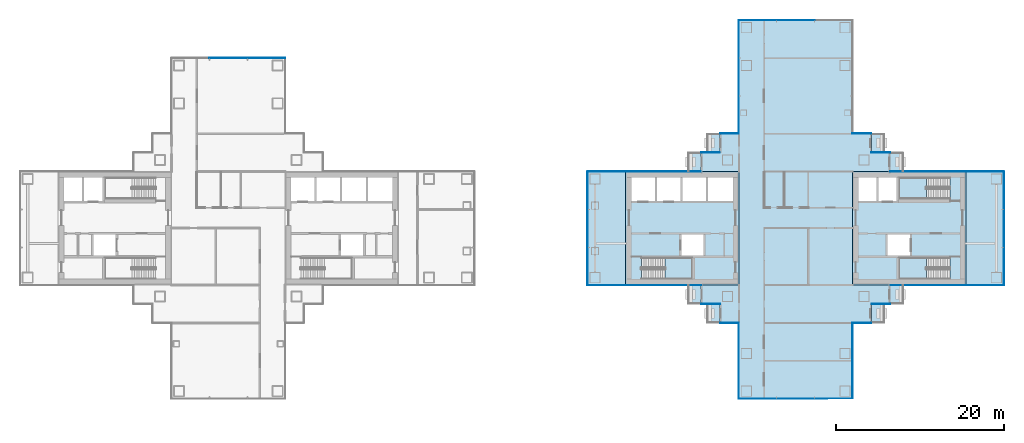
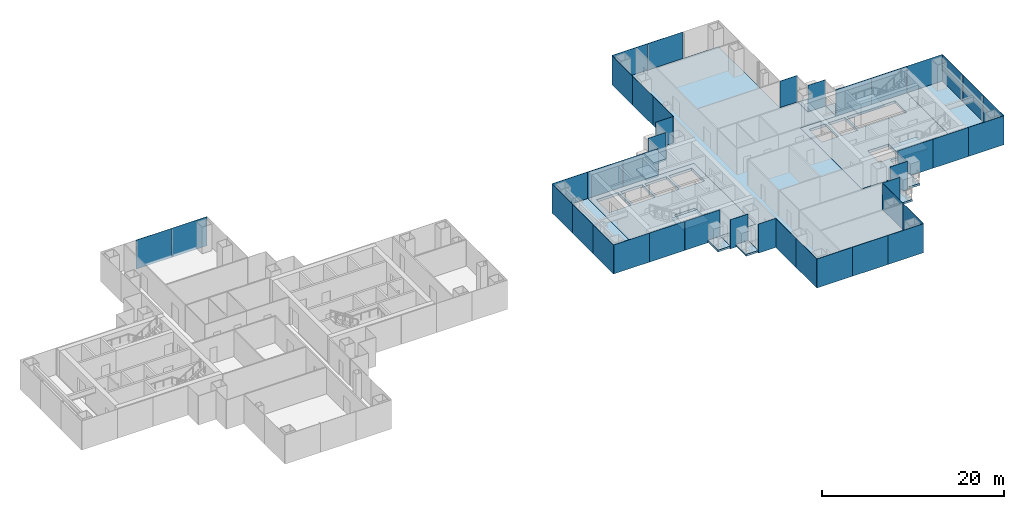
# One storey, part 10 of 20: 40 plates, 16 slabs, 23 elements without a shape of their own.
"""IFC4 building model written with IfcOpenShell, lengths in metres."""

from ifc_helpers import new_model, si_unit, direction, frame, origin, origin_2d, place, context, subcontext, project, spatial, polyline, rectangle, outline, extrude, material, layer, layer_set, type_object, element, aggregate, save


model = new_model("IFC4")

# Units and contexts
model_context = context("Model", 3, precision=1e-05, world=origin(), true_north=direction((0.0, 1.0)))
body_context = subcontext(model_context, "Body", "Model", "MODEL_VIEW")
ifc_project = project(units=[si_unit("LENGTHUNIT", "METRE"), si_unit("AREAUNIT", "SQUARE_METRE"), si_unit("VOLUMEUNIT", "CUBIC_METRE"), si_unit("PLANEANGLEUNIT", "RADIAN"), si_unit("MASSUNIT", "GRAM", prefix="KILO")], contexts=[model_context])

# Site, building, storey
site_placement = place(None, origin())
site = spatial("IfcSite", under=ifc_project, at=site_placement, CompositionType="ELEMENT")
building_placement = place(site_placement, origin())
building = spatial("IfcBuilding", under=site, at=building_placement, Name="Shamsa Quay Exchange Towers", CompositionType="ELEMENT")
storey_placement = place(building_placement, frame((0.0, 0.0, 109.199951171875)))
storey = spatial("IfcBuildingStorey", under=building, at=storey_placement, Name="L25", CompositionType="ELEMENT", Elevation=109.199951171875)

# Slabs
ifc_material_1 = material(Name="Precast concrete C40/50", Category="concrete")
ifc_layer_1 = layer(ifc_material_1, 0.25)
ifc_layer_set_1 = layer_set([ifc_layer_1], Name="BALCONY SLAB 250")
slab_type_1 = type_object("IfcSlabType", Name="BALCONY SLAB 250", PredefinedType="FLOOR", material=ifc_layer_set_1)
slab_1_placement = place(storey_placement, frame((0.0, 0.0, -0.25)))
element("IfcSlab", 1, at=slab_1_placement, inside=storey, type_object=slab_type_1, Name="Balcony T2-PKEN L25", PredefinedType="FLOOR", context=body_context, shape_type="SweptSolid", body=[
    extrude(outline(polyline([(24.75, 11.25), (24.75, 9.0380859375), (23.199951171875, 9.0380859375), (23.199951171875, 11.25), (24.75, 11.25)])), origin(), (0.0, 0.0, 1.0), 0.25),
])
slab_2_placement = place(storey_placement, frame((0.0, 0.0, -0.25)))
element("IfcSlab", 2, at=slab_2_placement, inside=storey, type_object=slab_type_1, Name="Balcony T2-PKEN L25", PredefinedType="FLOOR", context=body_context, shape_type="SweptSolid", body=[
    extrude(outline(polyline([(22.5, 9.0), (22.5, 6.7880859375), (20.949951171875, 6.7880859375), (20.949951171875, 9.0), (22.5, 9.0)])), origin(), (0.0, 0.0, 1.0), 0.25),
])
slab_3_placement = place(storey_placement, frame((0.0, 0.0, -0.25)))
element("IfcSlab", 3, at=slab_3_placement, inside=storey, type_object=slab_type_1, Name="Balcony T2-PKES L25", PredefinedType="FLOOR", context=body_context, shape_type="SweptSolid", body=[
    extrude(outline(polyline([(42.75, 9.0380859375), (42.75, 11.25), (44.300048828125, 11.25), (44.300048828125, 9.0380859375), (42.75, 9.0380859375)])), origin(), (0.0, 0.0, 1.0), 0.25),
])
slab_4_placement = place(storey_placement, frame((0.0, 0.0, -0.25)))
element("IfcSlab", 4, at=slab_4_placement, inside=storey, type_object=slab_type_1, Name="Balcony T2-PKES L25", PredefinedType="FLOOR", context=body_context, shape_type="SweptSolid", body=[
    extrude(outline(polyline([(45.0, 6.7880859375), (45.0, 9.0), (46.550048828125, 9.0), (46.550048828125, 6.7880859375), (45.0, 6.7880859375)])), origin(), (0.0, 0.0, 1.0), 0.25),
])
slab_5_placement = place(storey_placement, frame((0.0, 0.0, -0.25)))
element("IfcSlab", 5, at=slab_5_placement, inside=storey, type_object=slab_type_1, Name="Balcony T2-PKWN L25", PredefinedType="FLOOR", context=body_context, shape_type="SweptSolid", body=[
    extrude(outline(polyline([(22.5, -6.7880859375), (22.5, -9.0), (20.949951171875, -9.0), (20.949951171875, -6.7880859375), (22.5, -6.7880859375)])), origin(), (0.0, 0.0, 1.0), 0.25),
])
slab_6_placement = place(storey_placement, frame((0.0, 0.0, -0.25)))
element("IfcSlab", 6, at=slab_6_placement, inside=storey, type_object=slab_type_1, Name="Balcony T2-PKWN L25", PredefinedType="FLOOR", context=body_context, shape_type="SweptSolid", body=[
    extrude(outline(polyline([(24.75, -9.0380859375), (24.75, -11.25), (23.199951171875, -11.25), (23.199951171875, -9.0380859375), (24.75, -9.0380859375)])), origin(), (0.0, 0.0, 1.0), 0.25),
])
slab_7_placement = place(storey_placement, frame((0.0, 0.0, -0.25)))
element("IfcSlab", 7, at=slab_7_placement, inside=storey, type_object=slab_type_1, Name="Balcony T2-PKWS L25", PredefinedType="FLOOR", context=body_context, shape_type="SweptSolid", body=[
    extrude(outline(polyline([(42.75, -11.25), (42.75, -9.0380859375), (44.300048828125, -9.0380859375), (44.300048828125, -11.25), (42.75, -11.25)])), origin(), (0.0, 0.0, 1.0), 0.25),
])
slab_8_placement = place(storey_placement, frame((0.0, 0.0, -0.25)))
element("IfcSlab", 8, at=slab_8_placement, inside=storey, type_object=slab_type_1, Name="Balcony T2-PKWS L25", PredefinedType="FLOOR", context=body_context, shape_type="SweptSolid", body=[
    extrude(outline(polyline([(45.0, -9.0), (45.0, -6.7880859375), (46.550048828125, -6.7880859375), (46.550048828125, -9.0), (45.0, -9.0)])), origin(), (0.0, 0.0, 1.0), 0.25),
])
ifc_material_2 = material(Name="Concrete C50/60", Category="concrete")
ifc_layer_2 = layer(ifc_material_2, 0.35009765625)
ifc_layer_set_2 = layer_set([ifc_layer_2], Name="CORE FLOOR 350 C50/60")
slab_type_2 = type_object("IfcSlabType", Name="CORE FLOOR 350 C50/60", PredefinedType="FLOOR", material=ifc_layer_set_2)
slab_9_placement = place(storey_placement, frame((0.0, 0.0, -0.349853515625)))
element("IfcSlab", 9, at=slab_9_placement, inside=storey, type_object=slab_type_2, Name="Core floor T2A", PredefinedType="FLOOR", context=body_context, shape_type="SweptSolid", body=[
    extrude(outline(polyline([(13.5, -6.75), (27.0, -6.75), (27.0, 6.75), (13.5, 6.75), (13.5, -6.75)]), holes=[polyline([(15.400634765625, -6.050048828125), (15.400634765625, -3.5), (21.5, -3.5), (21.5, -6.050048828125), (15.400634765625, -6.050048828125)]), polyline([(14.199951171875, 3.25), (14.199951171875, 6.050048828125), (17.0, 6.050048828125), (17.0, 3.25), (14.199951171875, 3.25)]), polyline([(17.25, 3.25), (17.25, 6.050048828125), (20.050048828125, 6.050048828125), (20.050048828125, 3.25), (17.25, 3.25)]), polyline([(20.300048828125, 3.25), (20.300048828125, 6.050048828125), (23.10009765625, 6.050048828125), (23.10009765625, 3.25), (20.300048828125, 3.25)]), polyline([(23.35009765625, 3.25), (23.35009765625, 6.050048828125), (26.300048828125, 6.050048828125), (26.300048828125, 3.25), (23.35009765625, 3.25)]), polyline([(20.14990234375, -3.25), (20.14990234375, -0.75), (22.800048828125, -0.75), (22.800048828125, -3.25), (20.14990234375, -3.25)])]), origin(), (0.0, 0.0, 1.0), 0.349853515625),
])
slab_10_placement = place(storey_placement, frame((0.0, 0.0, -0.349853515625)))
element("IfcSlab", 10, at=slab_10_placement, inside=storey, type_object=slab_type_2, Name="Core floor T2B", PredefinedType="FLOOR", context=body_context, shape_type="SweptSolid", body=[
    extrude(outline(polyline([(54.0, -6.75), (54.0, 6.75), (40.5, 6.75), (40.5, -6.75), (54.0, -6.75)]), holes=[polyline([(52.099365234375, -3.5), (52.099365234375, -6.050048828125), (46.0, -6.050048828125), (46.0, -3.5), (52.099365234375, -3.5)]), polyline([(52.099365234375, 6.050048828125), (52.099365234375, 3.5), (46.0, 3.5), (46.0, 6.050048828125), (52.099365234375, 6.050048828125)]), polyline([(45.75, 3.25), (43.60009765625, 3.25), (43.60009765625, 6.050048828125), (45.75, 6.050048828125), (45.75, 3.25)]), polyline([(43.35009765625, 3.25), (41.199951171875, 3.25), (41.199951171875, 6.050048828125), (43.35009765625, 6.050048828125), (43.35009765625, 3.25)]), polyline([(47.35009765625, -3.25), (44.699951171875, -3.25), (44.699951171875, -0.75), (47.35009765625, -0.75), (47.35009765625, -3.25)])]), origin(), (0.0, 0.0, 1.0), 0.349853515625),
])

# Stair, slab
ifc_material_3 = material(Name="Concrete C40/50", Category="concrete")
stair_type = type_object("IfcStairType", Name="EXIT STAIR 22 RISERS 177 MM", PredefinedType="HALF_TURN_STAIR", material=ifc_material_3)
stair_1_placement = place(storey_placement, origin())
stair_1 = element("IfcStair", 11, at=stair_1_placement, inside=storey, type_object=stair_type, Name="L25 Exit stair ST4", PredefinedType="HALF_TURN_STAIR")
ifc_layer_3 = layer(ifc_material_3, 0.199951171875)
ifc_layer_set_3 = layer_set([ifc_layer_3], Name="CORE STAIR LANDING")
slab_type_3 = type_object("IfcSlabType", Name="CORE STAIR LANDING", PredefinedType="LANDING", material=ifc_layer_set_3)
slab_11_placement = place(storey_placement, frame((0.0, 0.0, 1.75)))
slab_11 = element("IfcSlab", 12, at=slab_11_placement, type_object=slab_type_3, Name="ST4 landing 1", PredefinedType="LANDING", context=body_context, shape_type="SweptSolid", body=[
    extrude(outline(polyline([(18.199951171875, -6.050048828125), (21.5, -6.050048828125), (21.5, -3.5), (18.199951171875, -3.5), (18.199951171875, -6.050048828125)])), origin(), (0.0, 0.0, 1.0), 0.199951171875),
])
aggregate(stair_1, [slab_11])

stair_2_placement = place(storey_placement, origin())
stair_2 = element("IfcStair", 13, at=stair_2_placement, inside=storey, type_object=stair_type, Name="L25 Exit stair ST5", PredefinedType="HALF_TURN_STAIR")
slab_12_placement = place(storey_placement, frame((0.0, 0.0, 1.75)))
slab_12 = element("IfcSlab", 14, at=slab_12_placement, type_object=slab_type_3, Name="ST5 landing 1", PredefinedType="LANDING", context=body_context, shape_type="SweptSolid", body=[
    extrude(outline(polyline([(49.300048828125, -3.5), (46.0, -3.5), (46.0, -6.050048828125), (49.300048828125, -6.050048828125), (49.300048828125, -3.5)])), origin(), (0.0, 0.0, 1.0), 0.199951171875),
])
aggregate(stair_2, [slab_12])

stair_3_placement = place(storey_placement, origin())
stair_3 = element("IfcStair", 15, at=stair_3_placement, inside=storey, type_object=stair_type, Name="L25 Exit stair ST6", PredefinedType="HALF_TURN_STAIR")
slab_13_placement = place(storey_placement, frame((0.0, 0.0, 1.75)))
slab_13 = element("IfcSlab", 16, at=slab_13_placement, type_object=slab_type_3, Name="ST6 landing 1", PredefinedType="LANDING", context=body_context, shape_type="SweptSolid", body=[
    extrude(outline(polyline([(49.300048828125, 6.050048828125), (46.0, 6.050048828125), (46.0, 3.5), (49.300048828125, 3.5), (49.300048828125, 6.050048828125)])), origin(), (0.0, 0.0, 1.0), 0.199951171875),
])
aggregate(stair_3, [slab_13])

# Curtain wall, plates
ifc_material_4 = material(Name="Aluminium EN AW-6063 T6, black anodised", Category="aluminium")
ifc_layer_4 = layer(ifc_material_4, 0.280029296875)
ifc_layer_set_4 = layer_set([ifc_layer_4], Name="CW-1 UNITISED VISION GLASS")
curtain_wall_type_1 = type_object("IfcCurtainWallType", Name="CW-1 UNITISED VISION GLASS", PredefinedType="NOTDEFINED", material=ifc_layer_set_4)
curtain_wall_1_placement = place(storey_placement, origin())
curtain_wall_1 = element("IfcCurtainWall", 17, at=curtain_wall_1_placement, inside=storey, type_object=curtain_wall_type_1, Name="CW1 T1-END-V+ L25", PredefinedType="NOTDEFINED")
ifc_material_5 = material(Name="Glass, laminated, dark tinted", Category="glass")
ifc_layer_5 = layer(ifc_material_5, 0.0400390625)
ifc_layer_set_5 = layer_set([ifc_layer_5], Name="CW-1 VISION GLASS 40")
plate_type_1 = type_object("IfcPlateType", Name="CW-1 VISION GLASS 40", PredefinedType="CURTAIN_PANEL", material=ifc_layer_set_5)
plate_1_placement = place(storey_placement, frame((-29.24755859375, 20.27001953125, -0.349853515625), z_axis=(0.0, 0.0, 1.0), x_axis=(-1.0, 0.0, 0.0)))
plate_1 = element("IfcPlate", 18, at=plate_1_placement, type_object=plate_type_1, Name="CW1 glass panel", PredefinedType="CURTAIN_PANEL", context=body_context, shape_type="SweptSolid", body=[
    extrude(rectangle(XDim=4.4951171875, YDim=0.0400390625, at=origin_2d()), origin(), (0.0, 0.0, 1.0), 3.89990234375),
])
plate_2_placement = place(storey_placement, frame((-33.75, 20.27001953125, -0.349853515625), z_axis=(0.0, 0.0, 1.0), x_axis=(-1.0, 0.0, 0.0)))
plate_2 = element("IfcPlate", 19, at=plate_2_placement, type_object=plate_type_1, Name="CW1 glass panel", PredefinedType="CURTAIN_PANEL", context=body_context, shape_type="SweptSolid", body=[
    extrude(rectangle(XDim=4.489990234375, YDim=0.0400390625, at=origin_2d()), origin(), (0.0, 0.0, 1.0), 3.89990234375),
])
aggregate(curtain_wall_1, [plate_1, plate_2])

# Curtain wall, plate
curtain_wall_2_placement = place(storey_placement, origin())
curtain_wall_2 = element("IfcCurtainWall", 20, at=curtain_wall_2_placement, inside=storey, type_object=curtain_wall_type_1, Name="CW1 T2-FLK-V-W L25", PredefinedType="NOTDEFINED")
plate_3_placement = place(storey_placement, frame((56.25, -6.77001953125, -0.349853515625)))
plate_3 = element("IfcPlate", 21, at=plate_3_placement, type_object=plate_type_1, Name="CW1 glass panel", PredefinedType="CURTAIN_PANEL", context=body_context, shape_type="SweptSolid", body=[
    extrude(rectangle(XDim=4.5, YDim=0.0400390625, at=origin_2d()), origin(), (0.0, 0.0, 1.0), 3.89990234375),
])
aggregate(curtain_wall_2, [plate_3])

# Curtain wall, plates
curtain_wall_3_placement = place(storey_placement, origin())
curtain_wall_3 = element("IfcCurtainWall", 22, at=curtain_wall_3_placement, inside=storey, type_object=curtain_wall_type_1, Name="CW1 T2-END-V- L25", PredefinedType="NOTDEFINED")
plate_4_placement = place(storey_placement, frame((58.52001953125, -4.50244140625, -0.349853515625), z_axis=(0.0, 0.0, 1.0), x_axis=(0.0, 1.0, 0.0)))
plate_4 = element("IfcPlate", 23, at=plate_4_placement, type_object=plate_type_1, Name="CW1 glass panel", PredefinedType="CURTAIN_PANEL", context=body_context, shape_type="SweptSolid", body=[
    extrude(rectangle(XDim=4.4951171875, YDim=0.0400390625, at=origin_2d()), origin(), (0.0, 0.0, 1.0), 3.89990234375),
])
plate_5_placement = place(storey_placement, frame((58.52001953125, 0.0, -0.349853515625), z_axis=(0.0, 0.0, 1.0), x_axis=(0.0, 1.0, 0.0)))
plate_5 = element("IfcPlate", 24, at=plate_5_placement, type_object=plate_type_1, Name="CW1 glass panel", PredefinedType="CURTAIN_PANEL", context=body_context, shape_type="SweptSolid", body=[
    extrude(rectangle(XDim=4.489990234375, YDim=0.0400390625, at=origin_2d()), origin(), (0.0, 0.0, 1.0), 3.89990234375),
])
plate_6_placement = place(storey_placement, frame((58.52001953125, 4.50244140625, -0.349853515625), z_axis=(0.0, 0.0, 1.0), x_axis=(0.0, 1.0, 0.0)))
plate_6 = element("IfcPlate", 25, at=plate_6_placement, type_object=plate_type_1, Name="CW1 glass panel", PredefinedType="CURTAIN_PANEL", context=body_context, shape_type="SweptSolid", body=[
    extrude(rectangle(XDim=4.4951171875, YDim=0.0400390625, at=origin_2d()), origin(), (0.0, 0.0, 1.0), 3.89990234375),
])
aggregate(curtain_wall_3, [plate_4, plate_5, plate_6])

# Curtain wall, plate
curtain_wall_4_placement = place(storey_placement, origin())
curtain_wall_4 = element("IfcCurtainWall", 26, at=curtain_wall_4_placement, inside=storey, type_object=curtain_wall_type_1, Name="CW1 T2-FLK-V-E L25", PredefinedType="NOTDEFINED")
plate_7_placement = place(storey_placement, frame((56.25, 6.77001953125, -0.349853515625), z_axis=(0.0, 0.0, 1.0), x_axis=(-1.0, 0.0, 0.0)))
plate_7 = element("IfcPlate", 27, at=plate_7_placement, type_object=plate_type_1, Name="CW1 glass panel", PredefinedType="CURTAIN_PANEL", context=body_context, shape_type="SweptSolid", body=[
    extrude(rectangle(XDim=4.5, YDim=0.0400390625, at=origin_2d()), origin(), (0.0, 0.0, 1.0), 3.89990234375),
])
aggregate(curtain_wall_4, [plate_7])

# Curtain wall, plates
curtain_wall_5_placement = place(storey_placement, origin())
curtain_wall_5 = element("IfcCurtainWall", 28, at=curtain_wall_5_placement, inside=storey, type_object=curtain_wall_type_1, Name="CW1 T2-END-U+ L25", PredefinedType="NOTDEFINED")
plate_8_placement = place(storey_placement, frame((33.75, 24.77001953125, -0.349853515625), z_axis=(0.0, 0.0, 1.0), x_axis=(-1.0, 0.0, 0.0)))
plate_8 = element("IfcPlate", 29, at=plate_8_placement, type_object=plate_type_1, Name="CW1 glass panel", PredefinedType="CURTAIN_PANEL", context=body_context, shape_type="SweptSolid", body=[
    extrude(rectangle(XDim=4.489990234375, YDim=0.0400390625, at=origin_2d()), origin(), (0.0, 0.0, 1.0), 3.89990234375),
])
plate_9_placement = place(storey_placement, frame((29.24755859375, 24.77001953125, -0.349853515625), z_axis=(0.0, 0.0, 1.0), x_axis=(-1.0, 0.0, 0.0)))
plate_9 = element("IfcPlate", 30, at=plate_9_placement, type_object=plate_type_1, Name="CW1 glass panel", PredefinedType="CURTAIN_PANEL", context=body_context, shape_type="SweptSolid", body=[
    extrude(rectangle(XDim=4.4951171875, YDim=0.0400390625, at=origin_2d()), origin(), (0.0, 0.0, 1.0), 3.89990234375),
])
aggregate(curtain_wall_5, [plate_8, plate_9])

curtain_wall_6_placement = place(storey_placement, origin())
curtain_wall_6 = element("IfcCurtainWall", 31, at=curtain_wall_6_placement, inside=storey, type_object=curtain_wall_type_1, Name="CW1 T2-FLK-U+N L25", PredefinedType="NOTDEFINED")
plate_10_placement = place(storey_placement, frame((26.97998046875, 22.50244140625, -0.349853515625), z_axis=(0.0, 0.0, 1.0), x_axis=(0.0, -1.0, 0.0)))
plate_10 = element("IfcPlate", 32, at=plate_10_placement, type_object=plate_type_1, Name="CW1 glass panel", PredefinedType="CURTAIN_PANEL", context=body_context, shape_type="SweptSolid", body=[
    extrude(rectangle(XDim=4.4951171875, YDim=0.0400390625, at=origin_2d()), origin(), (0.0, 0.0, 1.0), 3.89990234375),
])
plate_11_placement = place(storey_placement, frame((26.97998046875, 18.0, -0.349853515625), z_axis=(0.0, 0.0, 1.0), x_axis=(0.0, -1.0, 0.0)))
plate_11 = element("IfcPlate", 33, at=plate_11_placement, type_object=plate_type_1, Name="CW1 glass panel", PredefinedType="CURTAIN_PANEL", context=body_context, shape_type="SweptSolid", body=[
    extrude(rectangle(XDim=4.489990234375, YDim=0.0400390625, at=origin_2d()), origin(), (0.0, 0.0, 1.0), 3.89990234375),
])
plate_12_placement = place(storey_placement, frame((26.97998046875, 13.49755859375, -0.349853515625), z_axis=(0.0, 0.0, 1.0), x_axis=(0.0, -1.0, 0.0)))
plate_12 = element("IfcPlate", 34, at=plate_12_placement, type_object=plate_type_1, Name="CW1 glass panel", PredefinedType="CURTAIN_PANEL", context=body_context, shape_type="SweptSolid", body=[
    extrude(rectangle(XDim=4.4951171875, YDim=0.0400390625, at=origin_2d()), origin(), (0.0, 0.0, 1.0), 3.89990234375),
])
aggregate(curtain_wall_6, [plate_10, plate_11, plate_12])

# Curtain wall, plate
curtain_wall_7_placement = place(storey_placement, origin())
curtain_wall_7 = element("IfcCurtainWall", 35, at=curtain_wall_7_placement, inside=storey, type_object=curtain_wall_type_1, Name="CW1 T2-FLK-V+E L25", PredefinedType="NOTDEFINED")
plate_13_placement = place(storey_placement, frame((11.25, 6.77001953125, -0.349853515625), z_axis=(0.0, 0.0, 1.0), x_axis=(-1.0, 0.0, 0.0)))
plate_13 = element("IfcPlate", 36, at=plate_13_placement, type_object=plate_type_1, Name="CW1 glass panel", PredefinedType="CURTAIN_PANEL", context=body_context, shape_type="SweptSolid", body=[
    extrude(rectangle(XDim=4.5, YDim=0.0400390625, at=origin_2d()), origin(), (0.0, 0.0, 1.0), 3.89990234375),
])
aggregate(curtain_wall_7, [plate_13])

# Curtain wall, plates
curtain_wall_8_placement = place(storey_placement, origin())
curtain_wall_8 = element("IfcCurtainWall", 37, at=curtain_wall_8_placement, inside=storey, type_object=curtain_wall_type_1, Name="CW1 T2-END-V+ L25", PredefinedType="NOTDEFINED")
plate_14_placement = place(storey_placement, frame((8.97998046875, 4.50244140625, -0.349853515625), z_axis=(0.0, 0.0, 1.0), x_axis=(0.0, -1.0, 0.0)))
plate_14 = element("IfcPlate", 38, at=plate_14_placement, type_object=plate_type_1, Name="CW1 glass panel", PredefinedType="CURTAIN_PANEL", context=body_context, shape_type="SweptSolid", body=[
    extrude(rectangle(XDim=4.4951171875, YDim=0.0400390625, at=origin_2d()), origin(), (0.0, 0.0, 1.0), 3.89990234375),
])
plate_15_placement = place(storey_placement, frame((8.97998046875, 0.0, -0.349853515625), z_axis=(0.0, 0.0, 1.0), x_axis=(0.0, -1.0, 0.0)))
plate_15 = element("IfcPlate", 39, at=plate_15_placement, type_object=plate_type_1, Name="CW1 glass panel", PredefinedType="CURTAIN_PANEL", context=body_context, shape_type="SweptSolid", body=[
    extrude(rectangle(XDim=4.489990234375, YDim=0.0400390625, at=origin_2d()), origin(), (0.0, 0.0, 1.0), 3.89990234375),
])
plate_16_placement = place(storey_placement, frame((8.97998046875, -4.50244140625, -0.349853515625), z_axis=(0.0, 0.0, 1.0), x_axis=(0.0, -1.0, 0.0)))
plate_16 = element("IfcPlate", 40, at=plate_16_placement, type_object=plate_type_1, Name="CW1 glass panel", PredefinedType="CURTAIN_PANEL", context=body_context, shape_type="SweptSolid", body=[
    extrude(rectangle(XDim=4.4951171875, YDim=0.0400390625, at=origin_2d()), origin(), (0.0, 0.0, 1.0), 3.89990234375),
])
aggregate(curtain_wall_8, [plate_14, plate_15, plate_16])

# Curtain wall, plate
curtain_wall_9_placement = place(storey_placement, origin())
curtain_wall_9 = element("IfcCurtainWall", 41, at=curtain_wall_9_placement, inside=storey, type_object=curtain_wall_type_1, Name="CW1 T2-FLK-V+W L25", PredefinedType="NOTDEFINED")
plate_17_placement = place(storey_placement, frame((11.25, -6.77001953125, -0.349853515625)))
plate_17 = element("IfcPlate", 42, at=plate_17_placement, type_object=plate_type_1, Name="CW1 glass panel", PredefinedType="CURTAIN_PANEL", context=body_context, shape_type="SweptSolid", body=[
    extrude(rectangle(XDim=4.5, YDim=0.0400390625, at=origin_2d()), origin(), (0.0, 0.0, 1.0), 3.89990234375),
])
aggregate(curtain_wall_9, [plate_17])

# Curtain wall, plates
curtain_wall_10_placement = place(storey_placement, origin())
curtain_wall_10 = element("IfcCurtainWall", 43, at=curtain_wall_10_placement, inside=storey, type_object=curtain_wall_type_1, Name="CW1 T2-FLK-U-N L25", PredefinedType="NOTDEFINED")
plate_18_placement = place(storey_placement, frame((26.97998046875, -13.52587890625, -0.349853515625), z_axis=(0.0, 0.0, 1.0), x_axis=(0.0, -1.0, 0.0)))
plate_18 = element("IfcPlate", 44, at=plate_18_placement, type_object=plate_type_1, Name="CW1 glass panel", PredefinedType="CURTAIN_PANEL", context=body_context, shape_type="SweptSolid", body=[
    extrude(rectangle(XDim=4.47607421875, YDim=0.0400390625, at=origin_2d()), origin(), (0.0, 0.0, 1.0), 3.89990234375),
])
plate_19_placement = place(storey_placement, frame((26.97998046875, -18.011962890625, -0.349853515625), z_axis=(0.0, 0.0, 1.0), x_axis=(0.0, -1.0, 0.0)))
plate_19 = element("IfcPlate", 45, at=plate_19_placement, type_object=plate_type_1, Name="CW1 glass panel", PredefinedType="CURTAIN_PANEL", context=body_context, shape_type="SweptSolid", body=[
    extrude(rectangle(XDim=4.47607421875, YDim=0.0400390625, at=origin_2d()), origin(), (0.0, 0.0, 1.0), 3.89990234375),
])
aggregate(curtain_wall_10, [plate_18, plate_19])

curtain_wall_11_placement = place(storey_placement, origin())
curtain_wall_11 = element("IfcCurtainWall", 46, at=curtain_wall_11_placement, inside=storey, type_object=curtain_wall_type_1, Name="CW1 T2-END-U- L25", PredefinedType="NOTDEFINED")
plate_20_placement = place(storey_placement, frame((29.24755859375, -20.27001953125, -0.349853515625)))
plate_20 = element("IfcPlate", 47, at=plate_20_placement, type_object=plate_type_1, Name="CW1 glass panel", PredefinedType="CURTAIN_PANEL", context=body_context, shape_type="SweptSolid", body=[
    extrude(rectangle(XDim=4.4951171875, YDim=0.0400390625, at=origin_2d()), origin(), (0.0, 0.0, 1.0), 3.89990234375),
])
plate_21_placement = place(storey_placement, frame((33.75, -20.27001953125, -0.349853515625)))
plate_21 = element("IfcPlate", 48, at=plate_21_placement, type_object=plate_type_1, Name="CW1 glass panel", PredefinedType="CURTAIN_PANEL", context=body_context, shape_type="SweptSolid", body=[
    extrude(rectangle(XDim=4.489990234375, YDim=0.0400390625, at=origin_2d()), origin(), (0.0, 0.0, 1.0), 3.89990234375),
])
plate_22_placement = place(storey_placement, frame((38.25244140625, -20.27001953125, -0.349853515625)))
plate_22 = element("IfcPlate", 49, at=plate_22_placement, type_object=plate_type_1, Name="CW1 glass panel", PredefinedType="CURTAIN_PANEL", context=body_context, shape_type="SweptSolid", body=[
    extrude(rectangle(XDim=4.4951171875, YDim=0.0400390625, at=origin_2d()), origin(), (0.0, 0.0, 1.0), 3.89990234375),
])
aggregate(curtain_wall_11, [plate_20, plate_21, plate_22])

curtain_wall_12_placement = place(storey_placement, origin())
curtain_wall_12 = element("IfcCurtainWall", 50, at=curtain_wall_12_placement, inside=storey, type_object=curtain_wall_type_1, Name="CW1 T2-FLK-U-S L25", PredefinedType="NOTDEFINED")
plate_23_placement = place(storey_placement, frame((40.52001953125, -18.00244140625, -0.349853515625), z_axis=(0.0, 0.0, 1.0), x_axis=(0.0, 1.0, 0.0)))
plate_23 = element("IfcPlate", 51, at=plate_23_placement, type_object=plate_type_1, Name="CW1 glass panel", PredefinedType="CURTAIN_PANEL", context=body_context, shape_type="SweptSolid", body=[
    extrude(rectangle(XDim=4.4951171875, YDim=0.0400390625, at=origin_2d()), origin(), (0.0, 0.0, 1.0), 3.89990234375),
])
plate_24_placement = place(storey_placement, frame((40.52001953125, -13.49755859375, -0.349853515625), z_axis=(0.0, 0.0, 1.0), x_axis=(0.0, 1.0, 0.0)))
plate_24 = element("IfcPlate", 52, at=plate_24_placement, type_object=plate_type_1, Name="CW1 glass panel", PredefinedType="CURTAIN_PANEL", context=body_context, shape_type="SweptSolid", body=[
    extrude(rectangle(XDim=4.4951171875, YDim=0.0400390625, at=origin_2d()), origin(), (0.0, 0.0, 1.0), 3.89990234375),
])
aggregate(curtain_wall_12, [plate_23, plate_24])

ifc_layer_6 = layer(ifc_material_4, 0.303955078125)
ifc_layer_set_6 = layer_set([ifc_layer_6], Name="CW-2 UNITISED OPAQUE SPANDREL GLASS")
curtain_wall_type_2 = type_object("IfcCurtainWallType", Name="CW-2 UNITISED OPAQUE SPANDREL GLASS", PredefinedType="NOTDEFINED", material=ifc_layer_set_6)
curtain_wall_13_placement = place(storey_placement, origin())
curtain_wall_13 = element("IfcCurtainWall", 53, at=curtain_wall_13_placement, inside=storey, type_object=curtain_wall_type_2, Name="CW2 T2-FLK-V-W L25", PredefinedType="NOTDEFINED")
ifc_material_6 = material(Name="Glass, laminated, black enamelled opaque", Category="glass")
ifc_layer_7 = layer(ifc_material_6, 0.0439453125)
ifc_layer_set_7 = layer_set([ifc_layer_7], Name="CW-2 SPANDREL GLASS 44")
plate_type_2 = type_object("IfcPlateType", Name="CW-2 SPANDREL GLASS 44", PredefinedType="CURTAIN_PANEL", material=ifc_layer_set_7)
plate_25_placement = place(storey_placement, frame((47.27587890625, -6.77197265625, -0.349853515625)))
plate_25 = element("IfcPlate", 54, at=plate_25_placement, type_object=plate_type_2, Name="CW2 glass panel", PredefinedType="CURTAIN_PANEL", context=body_context, shape_type="SweptSolid", body=[
    extrude(rectangle(XDim=4.47607421875, YDim=0.0439453125, at=origin_2d()), origin(), (0.0, 0.0, 1.0), 3.89990234375),
])
plate_26_placement = place(storey_placement, frame((51.761962890625, -6.77197265625, -0.349853515625)))
plate_26 = element("IfcPlate", 55, at=plate_26_placement, type_object=plate_type_2, Name="CW2 glass panel", PredefinedType="CURTAIN_PANEL", context=body_context, shape_type="SweptSolid", body=[
    extrude(rectangle(XDim=4.47607421875, YDim=0.0439453125, at=origin_2d()), origin(), (0.0, 0.0, 1.0), 3.89990234375),
])
aggregate(curtain_wall_13, [plate_25, plate_26])

curtain_wall_14_placement = place(storey_placement, origin())
curtain_wall_14 = element("IfcCurtainWall", 56, at=curtain_wall_14_placement, inside=storey, type_object=curtain_wall_type_2, Name="CW2 T2-FLK-V-E L25", PredefinedType="NOTDEFINED")
plate_27_placement = place(storey_placement, frame((51.75244140625, 6.77197265625, -0.349853515625), z_axis=(0.0, 0.0, 1.0), x_axis=(-1.0, 0.0, 0.0)))
plate_27 = element("IfcPlate", 57, at=plate_27_placement, type_object=plate_type_2, Name="CW2 glass panel", PredefinedType="CURTAIN_PANEL", context=body_context, shape_type="SweptSolid", body=[
    extrude(rectangle(XDim=4.4951171875, YDim=0.0439453125, at=origin_2d()), origin(), (0.0, 0.0, 1.0), 3.89990234375),
])
plate_28_placement = place(storey_placement, frame((47.24755859375, 6.77197265625, -0.349853515625), z_axis=(0.0, 0.0, 1.0), x_axis=(-1.0, 0.0, 0.0)))
plate_28 = element("IfcPlate", 58, at=plate_28_placement, type_object=plate_type_2, Name="CW2 glass panel", PredefinedType="CURTAIN_PANEL", context=body_context, shape_type="SweptSolid", body=[
    extrude(rectangle(XDim=4.4951171875, YDim=0.0439453125, at=origin_2d()), origin(), (0.0, 0.0, 1.0), 3.89990234375),
])
aggregate(curtain_wall_14, [plate_27, plate_28])

curtain_wall_15_placement = place(storey_placement, origin())
curtain_wall_15 = element("IfcCurtainWall", 59, at=curtain_wall_15_placement, inside=storey, type_object=curtain_wall_type_2, Name="CW2 T2-FLK-V+E L25", PredefinedType="NOTDEFINED")
plate_29_placement = place(storey_placement, frame((20.22412109375, 6.77197265625, -0.349853515625), z_axis=(0.0, 0.0, 1.0), x_axis=(-1.0, 0.0, 0.0)))
plate_29 = element("IfcPlate", 60, at=plate_29_placement, type_object=plate_type_2, Name="CW2 glass panel", PredefinedType="CURTAIN_PANEL", context=body_context, shape_type="SweptSolid", body=[
    extrude(rectangle(XDim=4.47607421875, YDim=0.0439453125, at=origin_2d()), origin(), (0.0, 0.0, 1.0), 3.89990234375),
])
plate_30_placement = place(storey_placement, frame((15.738037109375, 6.77197265625, -0.349853515625), z_axis=(0.0, 0.0, 1.0), x_axis=(-1.0, 0.0, 0.0)))
plate_30 = element("IfcPlate", 61, at=plate_30_placement, type_object=plate_type_2, Name="CW2 glass panel", PredefinedType="CURTAIN_PANEL", context=body_context, shape_type="SweptSolid", body=[
    extrude(rectangle(XDim=4.47607421875, YDim=0.0439453125, at=origin_2d()), origin(), (0.0, 0.0, 1.0), 3.89990234375),
])
aggregate(curtain_wall_15, [plate_29, plate_30])

curtain_wall_16_placement = place(storey_placement, origin())
curtain_wall_16 = element("IfcCurtainWall", 62, at=curtain_wall_16_placement, inside=storey, type_object=curtain_wall_type_2, Name="CW2 T2-FLK-V+W L25", PredefinedType="NOTDEFINED")
plate_31_placement = place(storey_placement, frame((15.74755859375, -6.77197265625, -0.349853515625)))
plate_31 = element("IfcPlate", 63, at=plate_31_placement, type_object=plate_type_2, Name="CW2 glass panel", PredefinedType="CURTAIN_PANEL", context=body_context, shape_type="SweptSolid", body=[
    extrude(rectangle(XDim=4.4951171875, YDim=0.0439453125, at=origin_2d()), origin(), (0.0, 0.0, 1.0), 3.89990234375),
])
plate_32_placement = place(storey_placement, frame((20.25244140625, -6.77197265625, -0.349853515625)))
plate_32 = element("IfcPlate", 64, at=plate_32_placement, type_object=plate_type_2, Name="CW2 glass panel", PredefinedType="CURTAIN_PANEL", context=body_context, shape_type="SweptSolid", body=[
    extrude(rectangle(XDim=4.4951171875, YDim=0.0439453125, at=origin_2d()), origin(), (0.0, 0.0, 1.0), 3.89990234375),
])
aggregate(curtain_wall_16, [plate_31, plate_32])

ifc_layer_8 = layer(ifc_material_4, 0.256103515625)
ifc_layer_set_8 = layer_set([ifc_layer_8], Name="CW-4 POCKET SERRATED GLAZING")
curtain_wall_type_3 = type_object("IfcCurtainWallType", Name="CW-4 POCKET SERRATED GLAZING", PredefinedType="NOTDEFINED", material=ifc_layer_set_8)
curtain_wall_17_placement = place(storey_placement, origin())
curtain_wall_17 = element("IfcCurtainWall", 65, at=curtain_wall_17_placement, inside=storey, type_object=curtain_wall_type_3, Name="CW4 PKWS L25", PredefinedType="NOTDEFINED")
ifc_layer_9 = layer(ifc_material_5, 0.035888671875)
ifc_layer_set_9 = layer_set([ifc_layer_9], Name="CW-4 POCKET GLASS 36")
plate_type_3 = type_object("IfcPlateType", Name="CW-4 POCKET GLASS 36", PredefinedType="CURTAIN_PANEL", material=ifc_layer_set_9)
plate_33_placement = place(storey_placement, frame((43.89404296875, -9.01806640625, -0.349853515625)))
plate_33 = element("IfcPlate", 66, at=plate_33_placement, type_object=plate_type_3, Name="CW4 glass panel", PredefinedType="CURTAIN_PANEL", context=body_context, shape_type="SweptSolid", body=[
    extrude(rectangle(XDim=2.2119140625, YDim=0.035888671875, at=origin_2d()), origin(), (0.0, 0.0, 1.0), 3.89990234375),
])
plate_34_placement = place(storey_placement, frame((41.64599609375, -11.26806640625, -0.349853515625)))
plate_34 = element("IfcPlate", 67, at=plate_34_placement, type_object=plate_type_3, Name="CW4 glass panel", PredefinedType="CURTAIN_PANEL", context=body_context, shape_type="SweptSolid", body=[
    extrude(rectangle(XDim=2.2080078125, YDim=0.035888671875, at=origin_2d()), origin(), (0.0, 0.0, 1.0), 3.89990234375),
])
aggregate(curtain_wall_17, [plate_33, plate_34])

curtain_wall_18_placement = place(storey_placement, origin())
curtain_wall_18 = element("IfcCurtainWall", 68, at=curtain_wall_18_placement, inside=storey, type_object=curtain_wall_type_3, Name="CW4 PKES L25", PredefinedType="NOTDEFINED")
plate_35_placement = place(storey_placement, frame((43.875, 9.01806640625, -0.349853515625), z_axis=(0.0, 0.0, 1.0), x_axis=(-1.0, 0.0, 0.0)))
plate_35 = element("IfcPlate", 69, at=plate_35_placement, type_object=plate_type_3, Name="CW4 glass panel", PredefinedType="CURTAIN_PANEL", context=body_context, shape_type="SweptSolid", body=[
    extrude(rectangle(XDim=2.25, YDim=0.035888671875, at=origin_2d()), origin(), (0.0, 0.0, 1.0), 3.89990234375),
])
plate_36_placement = place(storey_placement, frame((41.625, 11.26806640625, -0.349853515625), z_axis=(0.0, 0.0, 1.0), x_axis=(-1.0, 0.0, 0.0)))
plate_36 = element("IfcPlate", 70, at=plate_36_placement, type_object=plate_type_3, Name="CW4 glass panel", PredefinedType="CURTAIN_PANEL", context=body_context, shape_type="SweptSolid", body=[
    extrude(rectangle(XDim=2.25, YDim=0.035888671875, at=origin_2d()), origin(), (0.0, 0.0, 1.0), 3.89990234375),
])
aggregate(curtain_wall_18, [plate_35, plate_36])

curtain_wall_19_placement = place(storey_placement, origin())
curtain_wall_19 = element("IfcCurtainWall", 71, at=curtain_wall_19_placement, inside=storey, type_object=curtain_wall_type_3, Name="CW4 PKEN L25", PredefinedType="NOTDEFINED")
plate_37_placement = place(storey_placement, frame((25.85400390625, 11.26806640625, -0.349853515625), z_axis=(0.0, 0.0, 1.0), x_axis=(-1.0, 0.0, 0.0)))
plate_37 = element("IfcPlate", 72, at=plate_37_placement, type_object=plate_type_3, Name="CW4 glass panel", PredefinedType="CURTAIN_PANEL", context=body_context, shape_type="SweptSolid", body=[
    extrude(rectangle(XDim=2.2080078125, YDim=0.035888671875, at=origin_2d()), origin(), (0.0, 0.0, 1.0), 3.89990234375),
])
plate_38_placement = place(storey_placement, frame((23.60595703125, 9.01806640625, -0.349853515625), z_axis=(0.0, 0.0, 1.0), x_axis=(-1.0, 0.0, 0.0)))
plate_38 = element("IfcPlate", 73, at=plate_38_placement, type_object=plate_type_3, Name="CW4 glass panel", PredefinedType="CURTAIN_PANEL", context=body_context, shape_type="SweptSolid", body=[
    extrude(rectangle(XDim=2.2119140625, YDim=0.035888671875, at=origin_2d()), origin(), (0.0, 0.0, 1.0), 3.89990234375),
])
aggregate(curtain_wall_19, [plate_37, plate_38])

curtain_wall_20_placement = place(storey_placement, origin())
curtain_wall_20 = element("IfcCurtainWall", 74, at=curtain_wall_20_placement, inside=storey, type_object=curtain_wall_type_3, Name="CW4 PKWN L25", PredefinedType="NOTDEFINED")
plate_39_placement = place(storey_placement, frame((23.625, -9.01806640625, -0.349853515625)))
plate_39 = element("IfcPlate", 75, at=plate_39_placement, type_object=plate_type_3, Name="CW4 glass panel", PredefinedType="CURTAIN_PANEL", context=body_context, shape_type="SweptSolid", body=[
    extrude(rectangle(XDim=2.25, YDim=0.035888671875, at=origin_2d()), origin(), (0.0, 0.0, 1.0), 3.89990234375),
])
plate_40_placement = place(storey_placement, frame((25.875, -11.26806640625, -0.349853515625)))
plate_40 = element("IfcPlate", 76, at=plate_40_placement, type_object=plate_type_3, Name="CW4 glass panel", PredefinedType="CURTAIN_PANEL", context=body_context, shape_type="SweptSolid", body=[
    extrude(rectangle(XDim=2.25, YDim=0.035888671875, at=origin_2d()), origin(), (0.0, 0.0, 1.0), 3.89990234375),
])
aggregate(curtain_wall_20, [plate_39, plate_40])

# Slabs
ifc_layer_10 = layer(ifc_material_3, 0.35009765625)
ifc_layer_set_10 = layer_set([ifc_layer_10], Name="Flat slab 350")
slab_type_4 = type_object("IfcSlabType", Name="Flat slab 350", PredefinedType="FLOOR", material=ifc_layer_set_10)
slab_14_placement = place(storey_placement, frame((0.0, 0.0, -0.349853515625)))
element("IfcSlab", 77, at=slab_14_placement, inside=storey, type_object=slab_type_4, Name="Flat slab T2 L25 4", PredefinedType="FLOOR", context=body_context, shape_type="SweptSolid", body=[
    extrude(outline(polyline([(9.0, -6.75), (13.5, -6.75), (13.5, 6.75), (9.0, 6.75), (9.0, -6.75)])), origin(), (0.0, 0.0, 1.0), 0.349853515625),
])
slab_15_placement = place(storey_placement, frame((0.0, 0.0, -0.349853515625)))
element("IfcSlab", 78, at=slab_15_placement, inside=storey, type_object=slab_type_4, Name="Flat slab T2 L25 5", PredefinedType="FLOOR", context=body_context, shape_type="SweptSolid", body=[
    extrude(outline(polyline([(45.0, -9.0), (45.0, -6.75), (40.5, -6.75), (40.5, 6.75), (45.0, 6.75), (45.0, 9.0), (42.75, 9.0), (42.75, 11.25), (40.5, 11.25), (40.5, 24.75), (27.0, 24.75), (27.0, 11.25), (24.75, 11.25), (24.75, 9.0), (22.5, 9.0), (22.5, 6.75), (27.0, 6.75), (27.0, -6.75), (22.5, -6.75), (22.5, -9.0), (24.75, -9.0), (24.75, -11.25), (27.0, -11.25), (27.0, -20.25), (40.5, -20.25), (40.5, -11.25), (42.75, -11.25), (42.75, -9.0), (45.0, -9.0)])), origin(), (0.0, 0.0, 1.0), 0.349853515625),
])
slab_16_placement = place(storey_placement, frame((0.0, 0.0, -0.349853515625)))
element("IfcSlab", 79, at=slab_16_placement, inside=storey, type_object=slab_type_4, Name="Flat slab T2 L25 6", PredefinedType="FLOOR", context=body_context, shape_type="SweptSolid", body=[
    extrude(outline(polyline([(58.5, 6.75), (54.0, 6.75), (54.0, -6.75), (58.5, -6.75), (58.5, 6.75)])), origin(), (0.0, 0.0, 1.0), 0.349853515625),
])

save(model, "model.ifc")
